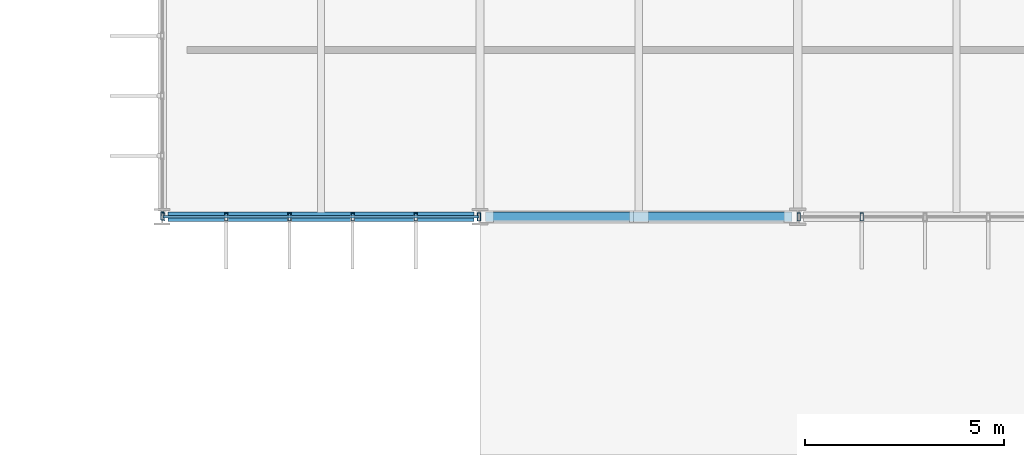
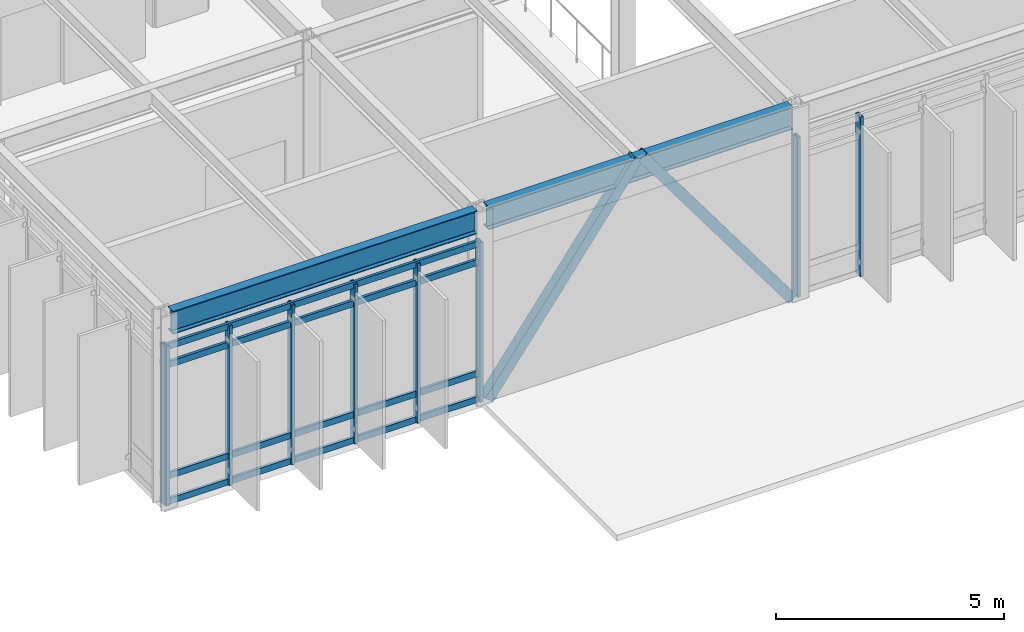
# One storey, part 32 of 94: 15 members, 2 beams, 3 elements without a shape of their own.
"""IFC4 building model written with IfcOpenShell, lengths in metres."""

from ifc_helpers import new_model, si_unit, direction, frame, origin, origin_2d, place, context, subcontext, project, spatial, hollow_rectangle, i_section, extrude, material, material_profile, profile_set, type_object, element, aggregate, save


model = new_model("IFC4")

# Units and contexts
model_context = context("Model", 3, precision=1e-05, world=origin(), true_north=direction((0.0, 1.0)))
body_context = subcontext(model_context, "Body", "Model", "MODEL_VIEW")
ifc_project = project(units=[si_unit("LENGTHUNIT", "METRE"), si_unit("AREAUNIT", "SQUARE_METRE"), si_unit("VOLUMEUNIT", "CUBIC_METRE"), si_unit("PLANEANGLEUNIT", "RADIAN"), si_unit("MASSUNIT", "GRAM", prefix="KILO")], contexts=[model_context])

# Site, building, storey
site_placement = place(None, origin())
site = spatial("IfcSite", under=ifc_project, at=site_placement, CompositionType="ELEMENT")
building_placement = place(site_placement, origin())
building = spatial("IfcBuilding", under=site, at=building_placement, Name="Zulena Civic Courthouse", CompositionType="ELEMENT")
storey_placement = place(building_placement, frame((0.0, 0.0, 5.39990234375)))
storey = spatial("IfcBuildingStorey", under=building, at=storey_placement, Name="L01", CompositionType="ELEMENT", Elevation=5.39990234375)

# Members
ifc_material_1 = material(Name="Steel ASTM A500 Grade C", Category="steel")
ifc_material_profile_1 = material_profile(ifc_material_1, hollow_rectangle(XDim=0.25390625, YDim=0.25390625, WallThickness=0.01171875, at=origin_2d()), Name="HSS10X10X1/2")
ifc_profile_set_1 = profile_set([ifc_material_profile_1], Name="Steel ASTM A500 Grade C")
member_type_1 = type_object("IfcMemberType", Name="Brace_HSS10", PredefinedType="BRACE", material=ifc_profile_set_1)
for number, where, z_axis, x_axis, name in (
    (1, (76.14990234375, 15.199951171875, 0.010009765625), (0.593725886298, 0.0, 0.804667367264), (0.0, 1.0, 0.0), "brace:V4:L01:4:0"),
    (2, (83.85009765625, 15.199951171875, 0.010009765625), (-0.593725886298, 0.0, 0.804667367264), (0.0, -1.0, 0.0), "brace:V4:L01:4:1"),
):
    element("IfcMember", number, at=place(storey_placement, frame(where, z_axis=z_axis, x_axis=x_axis)), inside=storey, type_object=member_type_1, Name=name, PredefinedType="BRACE", context=body_context, shape_type="SweptSolid", body=[
        extrude(hollow_rectangle(XDim=0.25390625, YDim=0.25390625, WallThickness=0.01171875, at=origin_2d()), origin(), (0.0, 0.0, 1.0), 6.400390625),
    ])

# Curtain wall, member
ifc_material_2 = material(Name="Double-silver low-E laminated solar-control glass", Category="glass")
curtain_wall_type_1 = type_object("IfcCurtainWallType", Name="CW_7552x4280", PredefinedType="USERDEFINED", material=ifc_material_2)
curtain_wall_1_placement = place(storey_placement, origin())
curtain_wall_1 = element("IfcCurtainWall", 3, at=curtain_wall_1_placement, inside=storey, type_object=curtain_wall_type_1, Name="cw:V4:L01:0:0", ObjectType="UNITISED CURTAIN WALL", PredefinedType="USERDEFINED")
ifc_material_3 = material(Name="Bronze anodised thermally broken aluminium AA6063-T6", Category="aluminium")
ifc_material_profile_2 = material_profile(ifc_material_3, hollow_rectangle(XDim=0.080078125, YDim=0.199951171875, WallThickness=0.0048828125, at=origin_2d()), Name="CWM200X80X5")
ifc_profile_set_2 = profile_set([ifc_material_profile_2], Name="Bronze anodised thermally broken aluminium AA6063-T6")
member_type_2 = type_object("IfcMemberType", Name="CWMullion_200x80", PredefinedType="MULLION", material=ifc_profile_set_2)
member_1_placement = place(storey_placement, frame((68.0, 15.22412109375, 0.0), z_axis=(0.0, 0.0, 1.0), x_axis=(1.0, 0.0, 0.0)))
member_1 = element("IfcMember", 4, at=member_1_placement, type_object=member_type_2, Name="cw:V4:L01:0:0:mull:0", PredefinedType="MULLION", context=body_context, shape_type="SweptSolid", body=[
    extrude(hollow_rectangle(XDim=0.080078125, YDim=0.199951171875, WallThickness=0.0048828125, at=origin_2d()), origin(), (0.0, 0.0, 1.0), 4.280029296875),
])
aggregate(curtain_wall_1, [member_1])

# Curtain wall, members
curtain_wall_type_2 = type_object("IfcCurtainWallType", Name="CW_7952x4280", PredefinedType="USERDEFINED", material=ifc_material_2)
curtain_wall_2_placement = place(storey_placement, origin())
curtain_wall_2 = element("IfcCurtainWall", 5, at=curtain_wall_2_placement, inside=storey, type_object=curtain_wall_type_2, Name="cw:V4:L01:3:4", ObjectType="UNITISED CURTAIN WALL", PredefinedType="USERDEFINED")
member_2_placement = place(storey_placement, frame((85.614501953125, 15.199951171875, 0.0), z_axis=(0.0, 0.0, 1.0), x_axis=(1.0, 0.0, 0.0)))
member_2 = element("IfcMember", 6, at=member_2_placement, type_object=member_type_2, Name="cw:V4:L01:3:4:mull:4", PredefinedType="MULLION", context=body_context, shape_type="SweptSolid", body=[
    extrude(hollow_rectangle(XDim=0.080078125, YDim=0.199951171875, WallThickness=0.0048828125, at=origin_2d()), origin(), (0.0, 0.0, 1.0), 4.280029296875),
])
member_3_placement = place(storey_placement, frame((84.02392578125, 15.199951171875, 0.0), z_axis=(0.0, 0.0, 1.0), x_axis=(1.0, 0.0, 0.0)))
member_3 = element("IfcMember", 7, at=member_3_placement, type_object=member_type_2, Name="cw:V4:L01:3:4:mull:5", PredefinedType="MULLION", context=body_context, shape_type="SweptSolid", body=[
    extrude(hollow_rectangle(XDim=0.080078125, YDim=0.199951171875, WallThickness=0.0048828125, at=origin_2d()), origin(), (0.0, 0.0, 1.0), 4.280029296875),
])
aggregate(curtain_wall_2, [member_2, member_3])

curtain_wall_3_placement = place(storey_placement, origin())
curtain_wall_3 = element("IfcCurtainWall", 8, at=curtain_wall_3_placement, inside=storey, type_object=curtain_wall_type_2, Name="cw:V4:L01:3:6", ObjectType="UNITISED CURTAIN WALL", PredefinedType="USERDEFINED")
member_4_placement = place(storey_placement, frame((75.97607421875, 15.199951171875, 0.0), z_axis=(0.0, 0.0, 1.0), x_axis=(1.0, 0.0, 0.0)))
member_4 = element("IfcMember", 9, at=member_4_placement, type_object=member_type_2, Name="cw:V4:L01:3:6:mull:0", PredefinedType="MULLION", context=body_context, shape_type="SweptSolid", body=[
    extrude(hollow_rectangle(XDim=0.080078125, YDim=0.199951171875, WallThickness=0.0048828125, at=origin_2d()), origin(), (0.0, 0.0, 1.0), 4.280029296875),
])
member_5_placement = place(storey_placement, frame((74.385498046875, 15.199951171875, 0.0), z_axis=(0.0, 0.0, 1.0), x_axis=(1.0, 0.0, 0.0)))
member_5 = element("IfcMember", 10, at=member_5_placement, type_object=member_type_2, Name="cw:V4:L01:3:6:mull:1", PredefinedType="MULLION", context=body_context, shape_type="SweptSolid", body=[
    extrude(hollow_rectangle(XDim=0.080078125, YDim=0.199951171875, WallThickness=0.0048828125, at=origin_2d()), origin(), (0.0, 0.0, 1.0), 4.280029296875),
])
member_6_placement = place(storey_placement, frame((72.795166015625, 15.199951171875, 0.0), z_axis=(0.0, 0.0, 1.0), x_axis=(1.0, 0.0, 0.0)))
member_6 = element("IfcMember", 11, at=member_6_placement, type_object=member_type_2, Name="cw:V4:L01:3:6:mull:2", PredefinedType="MULLION", context=body_context, shape_type="SweptSolid", body=[
    extrude(hollow_rectangle(XDim=0.080078125, YDim=0.199951171875, WallThickness=0.0048828125, at=origin_2d()), origin(), (0.0, 0.0, 1.0), 4.280029296875),
])
member_7_placement = place(storey_placement, frame((71.204833984375, 15.199951171875, 0.0), z_axis=(0.0, 0.0, 1.0), x_axis=(1.0, 0.0, 0.0)))
member_7 = element("IfcMember", 12, at=member_7_placement, type_object=member_type_2, Name="cw:V4:L01:3:6:mull:3", PredefinedType="MULLION", context=body_context, shape_type="SweptSolid", body=[
    extrude(hollow_rectangle(XDim=0.080078125, YDim=0.199951171875, WallThickness=0.0048828125, at=origin_2d()), origin(), (0.0, 0.0, 1.0), 4.280029296875),
])
member_8_placement = place(storey_placement, frame((69.614501953125, 15.199951171875, 0.0), z_axis=(0.0, 0.0, 1.0), x_axis=(1.0, 0.0, 0.0)))
member_8 = element("IfcMember", 13, at=member_8_placement, type_object=member_type_2, Name="cw:V4:L01:3:6:mull:4", PredefinedType="MULLION", context=body_context, shape_type="SweptSolid", body=[
    extrude(hollow_rectangle(XDim=0.080078125, YDim=0.199951171875, WallThickness=0.0048828125, at=origin_2d()), origin(), (0.0, 0.0, 1.0), 4.280029296875),
])
member_9_placement = place(storey_placement, frame((68.02392578125, 15.199951171875, 0.0), z_axis=(0.0, 0.0, 1.0), x_axis=(1.0, 0.0, 0.0)))
member_9 = element("IfcMember", 14, at=member_9_placement, type_object=member_type_2, Name="cw:V4:L01:3:6:mull:5", PredefinedType="MULLION", context=body_context, shape_type="SweptSolid", body=[
    extrude(hollow_rectangle(XDim=0.080078125, YDim=0.199951171875, WallThickness=0.0048828125, at=origin_2d()), origin(), (0.0, 0.0, 1.0), 4.280029296875),
])
ifc_material_profile_3 = material_profile(ifc_material_3, hollow_rectangle(XDim=0.070068359375, YDim=0.1650390625, WallThickness=0.00390625, at=origin_2d()), Name="CWT165X70X4")
ifc_profile_set_3 = profile_set([ifc_material_profile_3], Name="Bronze anodised thermally broken aluminium AA6063-T6")
member_type_3 = type_object("IfcMemberType", Name="CWTransom_165x70", PredefinedType="USERDEFINED", material=ifc_profile_set_3)
member_10_placement = place(storey_placement, frame((75.97607421875, 15.199951171875, 0.06005859375), z_axis=(-1.0, 0.0, 0.0), x_axis=(0.0, -1.0, 0.0)))
member_10 = element("IfcMember", 15, at=member_10_placement, type_object=member_type_3, Name="cw:V4:L01:3:6:tran:0", ObjectType="TRANSOM", PredefinedType="USERDEFINED", context=body_context, shape_type="SweptSolid", body=[
    extrude(hollow_rectangle(XDim=0.070068359375, YDim=0.1650390625, WallThickness=0.00390625, at=origin_2d()), origin(), (0.0, 0.0, 1.0), 7.9521484375),
])
member_11_placement = place(storey_placement, frame((75.97607421875, 15.199951171875, 0.75), z_axis=(-1.0, 0.0, 0.0), x_axis=(0.0, -1.0, 0.0)))
member_11 = element("IfcMember", 16, at=member_11_placement, type_object=member_type_3, Name="cw:V4:L01:3:6:tran:1", ObjectType="TRANSOM", PredefinedType="USERDEFINED", context=body_context, shape_type="SweptSolid", body=[
    extrude(hollow_rectangle(XDim=0.070068359375, YDim=0.1650390625, WallThickness=0.00390625, at=origin_2d()), origin(), (0.0, 0.0, 1.0), 7.9521484375),
])
member_12_placement = place(storey_placement, frame((75.97607421875, 15.199951171875, 3.72998046875), z_axis=(-1.0, 0.0, 0.0), x_axis=(0.0, -1.0, 0.0)))
member_12 = element("IfcMember", 17, at=member_12_placement, type_object=member_type_3, Name="cw:V4:L01:3:6:tran:2", ObjectType="TRANSOM", PredefinedType="USERDEFINED", context=body_context, shape_type="SweptSolid", body=[
    extrude(hollow_rectangle(XDim=0.070068359375, YDim=0.1650390625, WallThickness=0.00390625, at=origin_2d()), origin(), (0.0, 0.0, 1.0), 7.9521484375),
])
member_13_placement = place(storey_placement, frame((75.97607421875, 15.199951171875, 4.22021484375), z_axis=(-1.0, 0.0, 0.0), x_axis=(0.0, -1.0, 0.0)))
member_13 = element("IfcMember", 18, at=member_13_placement, type_object=member_type_3, Name="cw:V4:L01:3:6:tran:3", ObjectType="TRANSOM", PredefinedType="USERDEFINED", context=body_context, shape_type="SweptSolid", body=[
    extrude(hollow_rectangle(XDim=0.070068359375, YDim=0.1650390625, WallThickness=0.00390625, at=origin_2d()), origin(), (0.0, 0.0, 1.0), 7.9521484375),
])
aggregate(curtain_wall_3, [member_4, member_5, member_6, member_7, member_8, member_9, member_10, member_11, member_12, member_13])

# Beams
ifc_material_4 = material(Name="Steel ASTM A992 Grade 50", Category="steel")
ifc_material_profile_4 = material_profile(ifc_material_4, i_section(OverallWidth=0.22998046875, OverallDepth=0.616943359375, WebThickness=0.01318359375, FlangeThickness=0.022216796875, FilletRadius=0.0126953125, at=origin_2d()), Name="W24X94")
ifc_profile_set_4 = profile_set([ifc_material_profile_4], Name="Steel ASTM A992 Grade 50")
beam_type = type_object("IfcBeamType", Name="Spandrel_W24X94", PredefinedType="SPANDREL", material=ifc_profile_set_4)
for number, where, z_axis, x_axis, name in (
    (19, (68.14501953125, 15.199951171875, 4.876708984375), (1.0, 0.0, 0.0), (0.0, 1.0, 0.0), "beam:X:V4:L01:15.2:68.0_76.0"),
    (20, (76.14501953125, 15.199951171875, 4.876708984375), (1.0, 0.0, 0.0), (0.0, 1.0, 0.0), "beam:X:V4:L01:15.2:76.0_84.0"),
):
    element("IfcBeam", number, at=place(storey_placement, frame(where, z_axis=z_axis, x_axis=x_axis)), inside=storey, type_object=beam_type, Name=name, PredefinedType="SPANDREL", context=body_context, shape_type="SweptSolid", body=[
        extrude(i_section(OverallWidth=0.22998046875, OverallDepth=0.616943359375, WebThickness=0.01318359375, FlangeThickness=0.022216796875, FilletRadius=0.0126953125, at=origin_2d()), origin(), (0.0, 0.0, 1.0), 7.7099609375),
    ])

save(model, "model.ifc")
